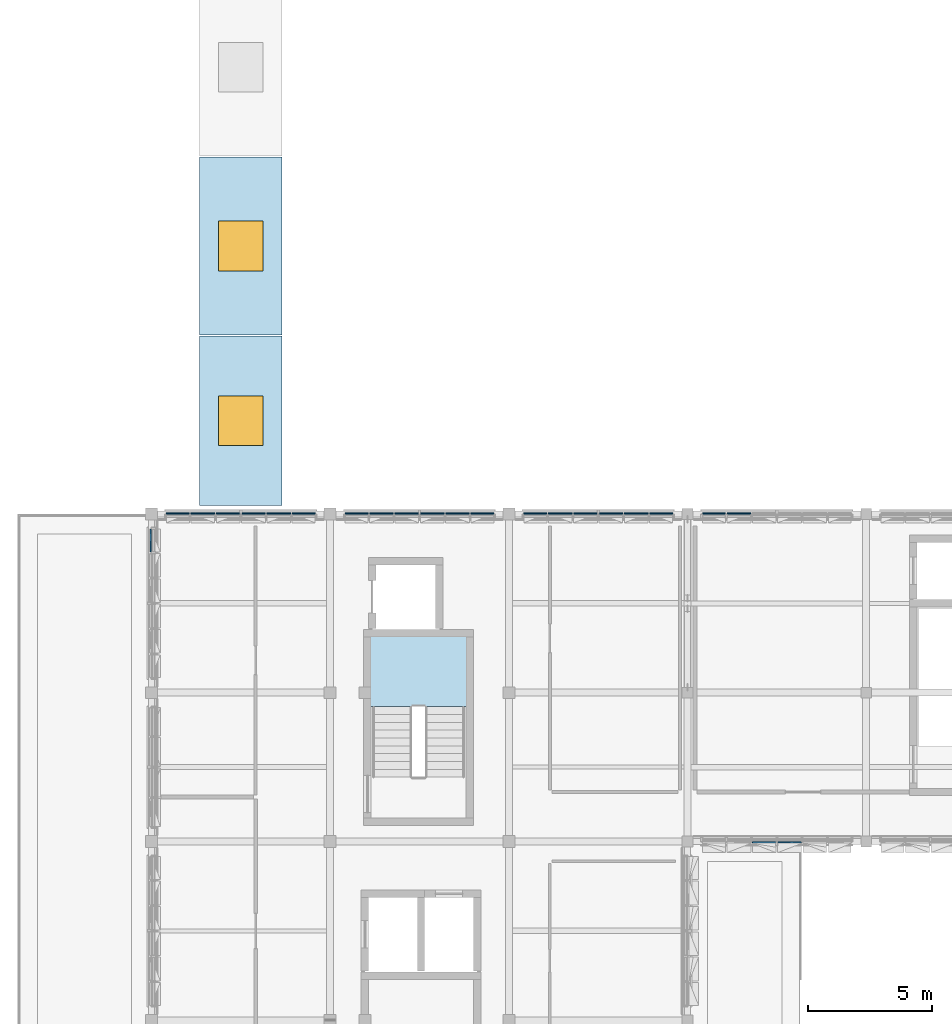
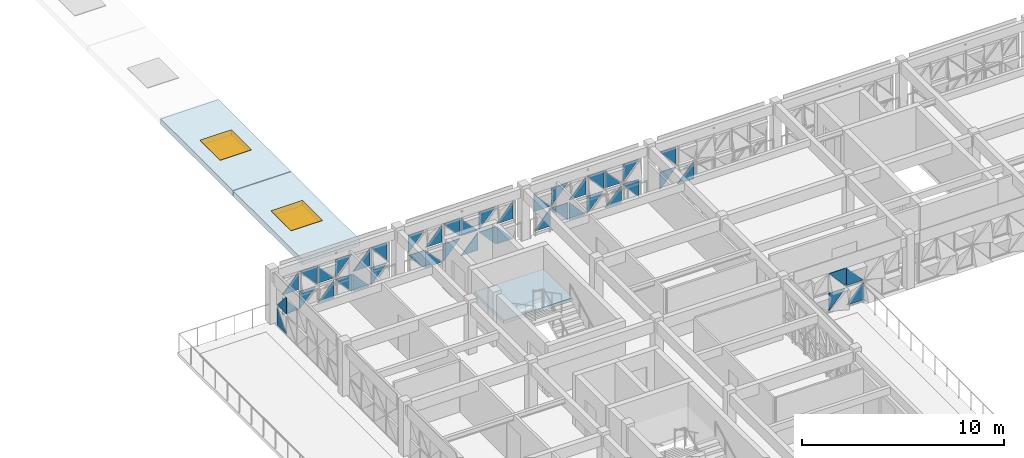
# One storey, part 15 of 35: 45 plates, 3 slabs, 2 windows, 2 openings, 7 elements without a shape of their own.
"""IFC4 building model written with IfcOpenShell, lengths in metres."""

from ifc_helpers import new_model, si_unit, direction, frame, origin, origin_2d, place, context, subcontext, project, spatial, polyline, rectangle, outline, extrude, material, layer, layer_set, type_object, element, fill, aggregate, save


model = new_model("IFC4")

# Units and contexts
model_context = context("Model", 3, precision=1e-05, world=origin(), true_north=direction((0.0, 1.0)))
body_context = subcontext(model_context, "Body", "Model", "MODEL_VIEW")
ifc_project = project(units=[si_unit("LENGTHUNIT", "METRE"), si_unit("AREAUNIT", "SQUARE_METRE"), si_unit("VOLUMEUNIT", "CUBIC_METRE"), si_unit("PLANEANGLEUNIT", "RADIAN"), si_unit("MASSUNIT", "GRAM", prefix="KILO")], contexts=[model_context])

# Site, building, storey
site_placement = place(None, origin())
site = spatial("IfcSite", under=ifc_project, at=site_placement, CompositionType="ELEMENT")
building_placement = place(site_placement, origin())
building = spatial("IfcBuilding", under=site, at=building_placement, Name="Alvorim Cloister Faculty of Sciences", CompositionType="ELEMENT")
storey_placement = place(building_placement, frame((0.0, 0.0, 22.949951171875)))
storey = spatial("IfcBuildingStorey", under=building, at=storey_placement, Name="L06", CompositionType="ELEMENT", Elevation=22.949951171875)

# Curtain wall, plates
ifc_material_1 = material(Name="Aluminium and Low-E Glass Curtain Wall", Category="aluminium")
curtain_wall_type = type_object("IfcCurtainWallType", Name="CW-TRI-6120x2550", PredefinedType="USERDEFINED", material=ifc_material_1)
curtain_wall_1_placement = place(storey_placement, origin())
curtain_wall_1 = element("IfcCurtainWall", 1, at=curtain_wall_1_placement, inside=storey, type_object=curtain_wall_type, Name="L06 Diagonal Cassette Curtain Wall CW-0244", ObjectType="UNITISED CURTAIN WALL", PredefinedType="USERDEFINED")
ifc_material_2 = material(Name="Double Low-E Laminated Glass", Category="glass")
ifc_layer_1 = layer(ifc_material_2, 0.0400390625)
ifc_layer_set_1 = layer_set([ifc_layer_1], Name="Double Low-E Laminated Glass")
plate_type = type_object("IfcPlateType", Name="PN-GLZ-40", PredefinedType="CURTAIN_PANEL", material=ifc_layer_set_1)
plate_1_placement = place(storey_placement, frame((7.175048828125, 54.87255859375, 0.14013671875), z_axis=(0.0, 0.0, 1.0), x_axis=(0.0, 1.0, 0.0)))
plate_1 = element("IfcPlate", 2, at=plate_1_placement, type_object=plate_type, Name="Diagonal Glazed Triangle TRI-BR", PredefinedType="CURTAIN_PANEL", context=body_context, shape_type="SweptSolid", body=[
    extrude(outline(polyline([(0.001953125, 0.0), (0.922607421875, 0.0), (0.922607421875, 1.06298828125), (0.001953125, 0.0)])), frame((0.0, 0.02490234375, 0.0), z_axis=(0.0, -1.0, 0.0), x_axis=(1.0, 0.0, 0.0)), (0.0, 0.0, 1.0), 0.050048828125),
])
plate_2_placement = place(storey_placement, frame((7.175048828125, 54.87255859375, 1.344970703125), z_axis=(0.0, 0.0, 1.0), x_axis=(0.0, 1.0, 0.0)))
plate_2 = element("IfcPlate", 3, at=plate_2_placement, type_object=plate_type, Name="Diagonal Glazed Triangle TRI-BL", PredefinedType="CURTAIN_PANEL", context=body_context, shape_type="SweptSolid", body=[
    extrude(outline(polyline([(0.0, 0.0), (0.920654296875, 0.0), (0.0, 1.063232421875), (0.0, 0.0)])), frame((0.0, 0.02490234375, 0.0), z_axis=(0.0, -1.0, 0.0), x_axis=(1.0, 0.0, 0.0)), (0.0, 0.0, 1.0), 0.050048828125),
])
aggregate(curtain_wall_1, [plate_1, plate_2])

curtain_wall_2_placement = place(storey_placement, origin())
curtain_wall_2 = element("IfcCurtainWall", 4, at=curtain_wall_2_placement, inside=storey, type_object=curtain_wall_type, Name="L06 Diagonal Cassette Curtain Wall CW-0245", ObjectType="UNITISED CURTAIN WALL", PredefinedType="USERDEFINED")
plate_3_placement = place(storey_placement, frame((7.804931640625, 56.425048828125, 0.14013671875), z_axis=(0.0, 0.0, 1.0), x_axis=(1.0, 0.0, 0.0)))
plate_3 = element("IfcPlate", 5, at=plate_3_placement, type_object=plate_type, Name="Diagonal Glazed Triangle TRI-BL", PredefinedType="CURTAIN_PANEL", context=body_context, shape_type="SweptSolid", body=[
    extrude(outline(polyline([(0.0, 0.0), (0.920654296875, 0.0), (0.0, 1.06298828125), (0.0, 0.0)])), frame((0.0, 0.02490234375, 0.0), z_axis=(0.0, -1.0, 0.0), x_axis=(1.0, 0.0, 0.0)), (0.0, 0.0, 1.0), 0.050048828125),
])
plate_4_placement = place(storey_placement, frame((7.804931640625, 56.425048828125, 1.344970703125), z_axis=(0.0, 0.0, 1.0), x_axis=(1.0, 0.0, 0.0)))
plate_4 = element("IfcPlate", 6, at=plate_4_placement, type_object=plate_type, Name="Diagonal Glazed Triangle TRI-BR", PredefinedType="CURTAIN_PANEL", context=body_context, shape_type="SweptSolid", body=[
    extrude(outline(polyline([(0.001953125, 0.0), (0.922607421875, 0.0), (0.922607421875, 1.063232421875), (0.001953125, 0.0)])), frame((0.0, 0.02490234375, 0.0), z_axis=(0.0, -1.0, 0.0), x_axis=(1.0, 0.0, 0.0)), (0.0, 0.0, 1.0), 0.050048828125),
])
plate_5_placement = place(storey_placement, frame((8.79248046875, 56.425048828125, 0.14013671875), z_axis=(0.0, 0.0, 1.0), x_axis=(1.0, 0.0, 0.0)))
plate_5 = element("IfcPlate", 7, at=plate_5_placement, type_object=plate_type, Name="Diagonal Glazed Triangle TRI-TL", PredefinedType="CURTAIN_PANEL", context=body_context, shape_type="SweptSolid", body=[
    extrude(outline(polyline([(0.953125, 1.06494140625), (0.0, 1.06494140625), (0.0, 0.001953125), (0.953125, 1.06494140625)])), frame((0.0, 0.02490234375, 0.0), z_axis=(0.0, -1.0, 0.0), x_axis=(1.0, 0.0, 0.0)), (0.0, 0.0, 1.0), 0.050048828125),
])
plate_6_placement = place(storey_placement, frame((8.79248046875, 56.425048828125, 1.344970703125), z_axis=(0.0, 0.0, 1.0), x_axis=(1.0, 0.0, 0.0)))
plate_6 = element("IfcPlate", 8, at=plate_6_placement, type_object=plate_type, Name="Diagonal Glazed Triangle TRI-TR", PredefinedType="CURTAIN_PANEL", context=body_context, shape_type="SweptSolid", body=[
    extrude(outline(polyline([(0.955078125, 0.001953125), (0.955078125, 1.065185546875), (0.001953125, 1.065185546875), (0.955078125, 0.001953125)])), frame((0.0, 0.02490234375, 0.0), z_axis=(0.0, -1.0, 0.0), x_axis=(1.0, 0.0, 0.0)), (0.0, 0.0, 1.0), 0.050048828125),
])
plate_7_placement = place(storey_placement, frame((9.8125, 56.425048828125, 0.14013671875), z_axis=(0.0, 0.0, 1.0), x_axis=(1.0, 0.0, 0.0)))
plate_7 = element("IfcPlate", 9, at=plate_7_placement, type_object=plate_type, Name="Diagonal Glazed Triangle TRI-BR", PredefinedType="CURTAIN_PANEL", context=body_context, shape_type="SweptSolid", body=[
    extrude(outline(polyline([(0.001953125, 0.0), (0.955078125, 0.0), (0.955078125, 1.06298828125), (0.001953125, 0.0)])), frame((0.0, 0.02490234375, 0.0), z_axis=(0.0, -1.0, 0.0), x_axis=(1.0, 0.0, 0.0)), (0.0, 0.0, 1.0), 0.050048828125),
])
plate_8_placement = place(storey_placement, frame((9.8125, 56.425048828125, 1.344970703125), z_axis=(0.0, 0.0, 1.0), x_axis=(1.0, 0.0, 0.0)))
plate_8 = element("IfcPlate", 10, at=plate_8_placement, type_object=plate_type, Name="Diagonal Glazed Triangle TRI-BL", PredefinedType="CURTAIN_PANEL", context=body_context, shape_type="SweptSolid", body=[
    extrude(outline(polyline([(0.0, 0.0), (0.953125, 0.0), (0.0, 1.063232421875), (0.0, 0.0)])), frame((0.0, 0.02490234375, 0.0), z_axis=(0.0, -1.0, 0.0), x_axis=(1.0, 0.0, 0.0)), (0.0, 0.0, 1.0), 0.050048828125),
])
plate_9_placement = place(storey_placement, frame((10.83251953125, 56.425048828125, 0.14013671875), z_axis=(0.0, 0.0, 1.0), x_axis=(1.0, 0.0, 0.0)))
plate_9 = element("IfcPlate", 11, at=plate_9_placement, type_object=plate_type, Name="Diagonal Glazed Triangle TRI-TR", PredefinedType="CURTAIN_PANEL", context=body_context, shape_type="SweptSolid", body=[
    extrude(outline(polyline([(0.955078125, 0.001953125), (0.955078125, 1.06494140625), (0.001953125, 1.06494140625), (0.955078125, 0.001953125)])), frame((0.0, 0.02490234375, 0.0), z_axis=(0.0, -1.0, 0.0), x_axis=(1.0, 0.0, 0.0)), (0.0, 0.0, 1.0), 0.050048828125),
])
plate_10_placement = place(storey_placement, frame((10.83251953125, 56.425048828125, 1.344970703125), z_axis=(0.0, 0.0, 1.0), x_axis=(1.0, 0.0, 0.0)))
plate_10 = element("IfcPlate", 12, at=plate_10_placement, type_object=plate_type, Name="Diagonal Glazed Triangle TRI-TL", PredefinedType="CURTAIN_PANEL", context=body_context, shape_type="SweptSolid", body=[
    extrude(outline(polyline([(0.953125, 1.065185546875), (0.0, 1.065185546875), (0.0, 0.001953125), (0.953125, 1.065185546875)])), frame((0.0, 0.02490234375, 0.0), z_axis=(0.0, -1.0, 0.0), x_axis=(1.0, 0.0, 0.0)), (0.0, 0.0, 1.0), 0.050048828125),
])
plate_11_placement = place(storey_placement, frame((11.8525390625, 56.425048828125, 0.14013671875), z_axis=(0.0, 0.0, 1.0), x_axis=(1.0, 0.0, 0.0)))
plate_11 = element("IfcPlate", 13, at=plate_11_placement, type_object=plate_type, Name="Diagonal Glazed Triangle TRI-BL", PredefinedType="CURTAIN_PANEL", context=body_context, shape_type="SweptSolid", body=[
    extrude(outline(polyline([(0.0, 0.0), (0.953125, 0.0), (0.0, 1.06298828125), (0.0, 0.0)])), frame((0.0, 0.02490234375, 0.0), z_axis=(0.0, -1.0, 0.0), x_axis=(1.0, 0.0, 0.0)), (0.0, 0.0, 1.0), 0.050048828125),
])
plate_12_placement = place(storey_placement, frame((11.8525390625, 56.425048828125, 1.344970703125), z_axis=(0.0, 0.0, 1.0), x_axis=(1.0, 0.0, 0.0)))
plate_12 = element("IfcPlate", 14, at=plate_12_placement, type_object=plate_type, Name="Diagonal Glazed Triangle TRI-BR", PredefinedType="CURTAIN_PANEL", context=body_context, shape_type="SweptSolid", body=[
    extrude(outline(polyline([(0.001953125, 0.0), (0.955078125, 0.0), (0.955078125, 1.063232421875), (0.001953125, 0.0)])), frame((0.0, 0.02490234375, 0.0), z_axis=(0.0, -1.0, 0.0), x_axis=(1.0, 0.0, 0.0)), (0.0, 0.0, 1.0), 0.050048828125),
])
plate_13_placement = place(storey_placement, frame((12.87255859375, 56.425048828125, 0.14013671875), z_axis=(0.0, 0.0, 1.0), x_axis=(1.0, 0.0, 0.0)))
plate_13 = element("IfcPlate", 15, at=plate_13_placement, type_object=plate_type, Name="Diagonal Glazed Triangle TRI-TL", PredefinedType="CURTAIN_PANEL", context=body_context, shape_type="SweptSolid", body=[
    extrude(outline(polyline([(0.920654296875, 1.06494140625), (0.0, 1.06494140625), (0.0, 0.001953125), (0.920654296875, 1.06494140625)])), frame((0.0, 0.02490234375, 0.0), z_axis=(0.0, -1.0, 0.0), x_axis=(1.0, 0.0, 0.0)), (0.0, 0.0, 1.0), 0.050048828125),
])
plate_14_placement = place(storey_placement, frame((12.87255859375, 56.425048828125, 1.344970703125), z_axis=(0.0, 0.0, 1.0), x_axis=(1.0, 0.0, 0.0)))
plate_14 = element("IfcPlate", 16, at=plate_14_placement, type_object=plate_type, Name="Diagonal Glazed Triangle TRI-TR", PredefinedType="CURTAIN_PANEL", context=body_context, shape_type="SweptSolid", body=[
    extrude(outline(polyline([(0.922607421875, 0.001953125), (0.922607421875, 1.065185546875), (0.001953125, 1.065185546875), (0.922607421875, 0.001953125)])), frame((0.0, 0.02490234375, 0.0), z_axis=(0.0, -1.0, 0.0), x_axis=(1.0, 0.0, 0.0)), (0.0, 0.0, 1.0), 0.050048828125),
])
aggregate(curtain_wall_2, [plate_3, plate_4, plate_5, plate_6, plate_7, plate_8, plate_9, plate_10, plate_11, plate_12, plate_13, plate_14])

curtain_wall_3_placement = place(storey_placement, origin())
curtain_wall_3 = element("IfcCurtainWall", 17, at=curtain_wall_3_placement, inside=storey, type_object=curtain_wall_type, Name="L06 Diagonal Cassette Curtain Wall CW-0246", ObjectType="UNITISED CURTAIN WALL", PredefinedType="USERDEFINED")
plate_15_placement = place(storey_placement, frame((15.0048828125, 56.425048828125, 0.14013671875), z_axis=(0.0, 0.0, 1.0), x_axis=(1.0, 0.0, 0.0)))
plate_15 = element("IfcPlate", 18, at=plate_15_placement, type_object=plate_type, Name="Diagonal Glazed Triangle TRI-TR", PredefinedType="CURTAIN_PANEL", context=body_context, shape_type="SweptSolid", body=[
    extrude(outline(polyline([(0.922607421875, 0.001953125), (0.922607421875, 1.06494140625), (0.001953125, 1.06494140625), (0.922607421875, 0.001953125)])), frame((0.0, 0.02490234375, 0.0), z_axis=(0.0, -1.0, 0.0), x_axis=(1.0, 0.0, 0.0)), (0.0, 0.0, 1.0), 0.050048828125),
])
plate_16_placement = place(storey_placement, frame((15.0048828125, 56.425048828125, 1.344970703125), z_axis=(0.0, 0.0, 1.0), x_axis=(1.0, 0.0, 0.0)))
plate_16 = element("IfcPlate", 19, at=plate_16_placement, type_object=plate_type, Name="Diagonal Glazed Triangle TRI-TL", PredefinedType="CURTAIN_PANEL", context=body_context, shape_type="SweptSolid", body=[
    extrude(outline(polyline([(0.920654296875, 1.065185546875), (0.0, 1.065185546875), (0.0, 0.001953125), (0.920654296875, 1.065185546875)])), frame((0.0, 0.02490234375, 0.0), z_axis=(0.0, -1.0, 0.0), x_axis=(1.0, 0.0, 0.0)), (0.0, 0.0, 1.0), 0.050048828125),
])
plate_17_placement = place(storey_placement, frame((15.992431640625, 56.425048828125, 0.14013671875), z_axis=(0.0, 0.0, 1.0), x_axis=(1.0, 0.0, 0.0)))
plate_17 = element("IfcPlate", 20, at=plate_17_placement, type_object=plate_type, Name="Diagonal Glazed Triangle TRI-BL", PredefinedType="CURTAIN_PANEL", context=body_context, shape_type="SweptSolid", body=[
    extrude(outline(polyline([(0.0, 0.0), (0.953125, 0.0), (0.0, 1.06298828125), (0.0, 0.0)])), frame((0.0, 0.02490234375, 0.0), z_axis=(0.0, -1.0, 0.0), x_axis=(1.0, 0.0, 0.0)), (0.0, 0.0, 1.0), 0.050048828125),
])
plate_18_placement = place(storey_placement, frame((15.992431640625, 56.425048828125, 1.344970703125), z_axis=(0.0, 0.0, 1.0), x_axis=(1.0, 0.0, 0.0)))
plate_18 = element("IfcPlate", 21, at=plate_18_placement, type_object=plate_type, Name="Diagonal Glazed Triangle TRI-BR", PredefinedType="CURTAIN_PANEL", context=body_context, shape_type="SweptSolid", body=[
    extrude(outline(polyline([(0.001953125, 0.0), (0.955078125, 0.0), (0.955078125, 1.063232421875), (0.001953125, 0.0)])), frame((0.0, 0.02490234375, 0.0), z_axis=(0.0, -1.0, 0.0), x_axis=(1.0, 0.0, 0.0)), (0.0, 0.0, 1.0), 0.050048828125),
])
plate_19_placement = place(storey_placement, frame((17.012451171875, 56.425048828125, 0.14013671875), z_axis=(0.0, 0.0, 1.0), x_axis=(1.0, 0.0, 0.0)))
plate_19 = element("IfcPlate", 22, at=plate_19_placement, type_object=plate_type, Name="Diagonal Glazed Triangle TRI-TL", PredefinedType="CURTAIN_PANEL", context=body_context, shape_type="SweptSolid", body=[
    extrude(outline(polyline([(0.953125, 1.06494140625), (0.0, 1.06494140625), (0.0, 0.001953125), (0.953125, 1.06494140625)])), frame((0.0, 0.02490234375, 0.0), z_axis=(0.0, -1.0, 0.0), x_axis=(1.0, 0.0, 0.0)), (0.0, 0.0, 1.0), 0.050048828125),
])
plate_20_placement = place(storey_placement, frame((17.012451171875, 56.425048828125, 1.344970703125), z_axis=(0.0, 0.0, 1.0), x_axis=(1.0, 0.0, 0.0)))
plate_20 = element("IfcPlate", 23, at=plate_20_placement, type_object=plate_type, Name="Diagonal Glazed Triangle TRI-TR", PredefinedType="CURTAIN_PANEL", context=body_context, shape_type="SweptSolid", body=[
    extrude(outline(polyline([(0.955078125, 0.001953125), (0.955078125, 1.065185546875), (0.001953125, 1.065185546875), (0.955078125, 0.001953125)])), frame((0.0, 0.02490234375, 0.0), z_axis=(0.0, -1.0, 0.0), x_axis=(1.0, 0.0, 0.0)), (0.0, 0.0, 1.0), 0.050048828125),
])
plate_21_placement = place(storey_placement, frame((18.032470703125, 56.425048828125, 0.14013671875), z_axis=(0.0, 0.0, 1.0), x_axis=(1.0, 0.0, 0.0)))
plate_21 = element("IfcPlate", 24, at=plate_21_placement, type_object=plate_type, Name="Diagonal Glazed Triangle TRI-BR", PredefinedType="CURTAIN_PANEL", context=body_context, shape_type="SweptSolid", body=[
    extrude(outline(polyline([(0.001953125, 0.0), (0.955078125, 0.0), (0.955078125, 1.06298828125), (0.001953125, 0.0)])), frame((0.0, 0.02490234375, 0.0), z_axis=(0.0, -1.0, 0.0), x_axis=(1.0, 0.0, 0.0)), (0.0, 0.0, 1.0), 0.050048828125),
])
plate_22_placement = place(storey_placement, frame((18.032470703125, 56.425048828125, 1.344970703125), z_axis=(0.0, 0.0, 1.0), x_axis=(1.0, 0.0, 0.0)))
plate_22 = element("IfcPlate", 25, at=plate_22_placement, type_object=plate_type, Name="Diagonal Glazed Triangle TRI-BL", PredefinedType="CURTAIN_PANEL", context=body_context, shape_type="SweptSolid", body=[
    extrude(outline(polyline([(0.0, 0.0), (0.953125, 0.0), (0.0, 1.063232421875), (0.0, 0.0)])), frame((0.0, 0.02490234375, 0.0), z_axis=(0.0, -1.0, 0.0), x_axis=(1.0, 0.0, 0.0)), (0.0, 0.0, 1.0), 0.050048828125),
])
plate_23_placement = place(storey_placement, frame((19.052490234375, 56.425048828125, 0.14013671875), z_axis=(0.0, 0.0, 1.0), x_axis=(1.0, 0.0, 0.0)))
plate_23 = element("IfcPlate", 26, at=plate_23_placement, type_object=plate_type, Name="Diagonal Glazed Triangle TRI-TR", PredefinedType="CURTAIN_PANEL", context=body_context, shape_type="SweptSolid", body=[
    extrude(outline(polyline([(0.955078125, 0.001953125), (0.955078125, 1.06494140625), (0.001953125, 1.06494140625), (0.955078125, 0.001953125)])), frame((0.0, 0.02490234375, 0.0), z_axis=(0.0, -1.0, 0.0), x_axis=(1.0, 0.0, 0.0)), (0.0, 0.0, 1.0), 0.050048828125),
])
plate_24_placement = place(storey_placement, frame((19.052490234375, 56.425048828125, 1.344970703125), z_axis=(0.0, 0.0, 1.0), x_axis=(1.0, 0.0, 0.0)))
plate_24 = element("IfcPlate", 27, at=plate_24_placement, type_object=plate_type, Name="Diagonal Glazed Triangle TRI-TL", PredefinedType="CURTAIN_PANEL", context=body_context, shape_type="SweptSolid", body=[
    extrude(outline(polyline([(0.953125, 1.065185546875), (0.0, 1.065185546875), (0.0, 0.001953125), (0.953125, 1.065185546875)])), frame((0.0, 0.02490234375, 0.0), z_axis=(0.0, -1.0, 0.0), x_axis=(1.0, 0.0, 0.0)), (0.0, 0.0, 1.0), 0.050048828125),
])
plate_25_placement = place(storey_placement, frame((20.072509765625, 56.425048828125, 0.14013671875), z_axis=(0.0, 0.0, 1.0), x_axis=(1.0, 0.0, 0.0)))
plate_25 = element("IfcPlate", 28, at=plate_25_placement, type_object=plate_type, Name="Diagonal Glazed Triangle TRI-BL", PredefinedType="CURTAIN_PANEL", context=body_context, shape_type="SweptSolid", body=[
    extrude(outline(polyline([(0.0, 0.0), (0.920654296875, 0.0), (0.0, 1.06298828125), (0.0, 0.0)])), frame((0.0, 0.02490234375, 0.0), z_axis=(0.0, -1.0, 0.0), x_axis=(1.0, 0.0, 0.0)), (0.0, 0.0, 1.0), 0.050048828125),
])
plate_26_placement = place(storey_placement, frame((20.072509765625, 56.425048828125, 1.344970703125), z_axis=(0.0, 0.0, 1.0), x_axis=(1.0, 0.0, 0.0)))
plate_26 = element("IfcPlate", 29, at=plate_26_placement, type_object=plate_type, Name="Diagonal Glazed Triangle TRI-BR", PredefinedType="CURTAIN_PANEL", context=body_context, shape_type="SweptSolid", body=[
    extrude(outline(polyline([(0.001953125, 0.0), (0.922607421875, 0.0), (0.922607421875, 1.063232421875), (0.001953125, 0.0)])), frame((0.0, 0.02490234375, 0.0), z_axis=(0.0, -1.0, 0.0), x_axis=(1.0, 0.0, 0.0)), (0.0, 0.0, 1.0), 0.050048828125),
])
aggregate(curtain_wall_3, [plate_15, plate_16, plate_17, plate_18, plate_19, plate_20, plate_21, plate_22, plate_23, plate_24, plate_25, plate_26])

curtain_wall_4_placement = place(storey_placement, origin())
curtain_wall_4 = element("IfcCurtainWall", 30, at=curtain_wall_4_placement, inside=storey, type_object=curtain_wall_type, Name="L06 Diagonal Cassette Curtain Wall CW-0247", ObjectType="UNITISED CURTAIN WALL", PredefinedType="USERDEFINED")
plate_27_placement = place(storey_placement, frame((22.205078125, 56.425048828125, 0.14013671875), z_axis=(0.0, 0.0, 1.0), x_axis=(1.0, 0.0, 0.0)))
plate_27 = element("IfcPlate", 31, at=plate_27_placement, type_object=plate_type, Name="Diagonal Glazed Triangle TRI-BR", PredefinedType="CURTAIN_PANEL", context=body_context, shape_type="SweptSolid", body=[
    extrude(outline(polyline([(0.001953125, 0.0), (0.922607421875, 0.0), (0.922607421875, 1.06298828125), (0.001953125, 0.0)])), frame((0.0, 0.02490234375, 0.0), z_axis=(0.0, -1.0, 0.0), x_axis=(1.0, 0.0, 0.0)), (0.0, 0.0, 1.0), 0.050048828125),
])
plate_28_placement = place(storey_placement, frame((22.205078125, 56.425048828125, 1.344970703125), z_axis=(0.0, 0.0, 1.0), x_axis=(1.0, 0.0, 0.0)))
plate_28 = element("IfcPlate", 32, at=plate_28_placement, type_object=plate_type, Name="Diagonal Glazed Triangle TRI-BL", PredefinedType="CURTAIN_PANEL", context=body_context, shape_type="SweptSolid", body=[
    extrude(outline(polyline([(0.0, 0.0), (0.920654296875, 0.0), (0.0, 1.063232421875), (0.0, 0.0)])), frame((0.0, 0.02490234375, 0.0), z_axis=(0.0, -1.0, 0.0), x_axis=(1.0, 0.0, 0.0)), (0.0, 0.0, 1.0), 0.050048828125),
])
plate_29_placement = place(storey_placement, frame((23.1923828125, 56.425048828125, 0.14013671875), z_axis=(0.0, 0.0, 1.0), x_axis=(1.0, 0.0, 0.0)))
plate_29 = element("IfcPlate", 33, at=plate_29_placement, type_object=plate_type, Name="Diagonal Glazed Triangle TRI-TR", PredefinedType="CURTAIN_PANEL", context=body_context, shape_type="SweptSolid", body=[
    extrude(outline(polyline([(0.955078125, 0.001953125), (0.955078125, 1.06494140625), (0.001953125, 1.06494140625), (0.955078125, 0.001953125)])), frame((0.0, 0.02490234375, 0.0), z_axis=(0.0, -1.0, 0.0), x_axis=(1.0, 0.0, 0.0)), (0.0, 0.0, 1.0), 0.050048828125),
])
plate_30_placement = place(storey_placement, frame((23.1923828125, 56.425048828125, 1.344970703125), z_axis=(0.0, 0.0, 1.0), x_axis=(1.0, 0.0, 0.0)))
plate_30 = element("IfcPlate", 34, at=plate_30_placement, type_object=plate_type, Name="Diagonal Glazed Triangle TRI-TL", PredefinedType="CURTAIN_PANEL", context=body_context, shape_type="SweptSolid", body=[
    extrude(outline(polyline([(0.953125, 1.065185546875), (0.0, 1.065185546875), (0.0, 0.001953125), (0.953125, 1.065185546875)])), frame((0.0, 0.02490234375, 0.0), z_axis=(0.0, -1.0, 0.0), x_axis=(1.0, 0.0, 0.0)), (0.0, 0.0, 1.0), 0.050048828125),
])
plate_31_placement = place(storey_placement, frame((24.21240234375, 56.425048828125, 0.14013671875), z_axis=(0.0, 0.0, 1.0), x_axis=(1.0, 0.0, 0.0)))
plate_31 = element("IfcPlate", 35, at=plate_31_placement, type_object=plate_type, Name="Diagonal Glazed Triangle TRI-BL", PredefinedType="CURTAIN_PANEL", context=body_context, shape_type="SweptSolid", body=[
    extrude(outline(polyline([(0.0, 0.0), (0.953125, 0.0), (0.0, 1.06298828125), (0.0, 0.0)])), frame((0.0, 0.02490234375, 0.0), z_axis=(0.0, -1.0, 0.0), x_axis=(1.0, 0.0, 0.0)), (0.0, 0.0, 1.0), 0.050048828125),
])
plate_32_placement = place(storey_placement, frame((24.21240234375, 56.425048828125, 1.344970703125), z_axis=(0.0, 0.0, 1.0), x_axis=(1.0, 0.0, 0.0)))
plate_32 = element("IfcPlate", 36, at=plate_32_placement, type_object=plate_type, Name="Diagonal Glazed Triangle TRI-BR", PredefinedType="CURTAIN_PANEL", context=body_context, shape_type="SweptSolid", body=[
    extrude(outline(polyline([(0.001953125, 0.0), (0.955078125, 0.0), (0.955078125, 1.063232421875), (0.001953125, 0.0)])), frame((0.0, 0.02490234375, 0.0), z_axis=(0.0, -1.0, 0.0), x_axis=(1.0, 0.0, 0.0)), (0.0, 0.0, 1.0), 0.050048828125),
])
plate_33_placement = place(storey_placement, frame((25.232421875, 56.425048828125, 0.14013671875), z_axis=(0.0, 0.0, 1.0), x_axis=(1.0, 0.0, 0.0)))
plate_33 = element("IfcPlate", 37, at=plate_33_placement, type_object=plate_type, Name="Diagonal Glazed Triangle TRI-TL", PredefinedType="CURTAIN_PANEL", context=body_context, shape_type="SweptSolid", body=[
    extrude(outline(polyline([(0.953125, 1.06494140625), (0.0, 1.06494140625), (0.0, 0.001953125), (0.953125, 1.06494140625)])), frame((0.0, 0.02490234375, 0.0), z_axis=(0.0, -1.0, 0.0), x_axis=(1.0, 0.0, 0.0)), (0.0, 0.0, 1.0), 0.050048828125),
])
plate_34_placement = place(storey_placement, frame((25.232421875, 56.425048828125, 1.344970703125), z_axis=(0.0, 0.0, 1.0), x_axis=(1.0, 0.0, 0.0)))
plate_34 = element("IfcPlate", 38, at=plate_34_placement, type_object=plate_type, Name="Diagonal Glazed Triangle TRI-TR", PredefinedType="CURTAIN_PANEL", context=body_context, shape_type="SweptSolid", body=[
    extrude(outline(polyline([(0.955078125, 0.001953125), (0.955078125, 1.065185546875), (0.001953125, 1.065185546875), (0.955078125, 0.001953125)])), frame((0.0, 0.02490234375, 0.0), z_axis=(0.0, -1.0, 0.0), x_axis=(1.0, 0.0, 0.0)), (0.0, 0.0, 1.0), 0.050048828125),
])
plate_35_placement = place(storey_placement, frame((26.25244140625, 56.425048828125, 0.14013671875), z_axis=(0.0, 0.0, 1.0), x_axis=(1.0, 0.0, 0.0)))
plate_35 = element("IfcPlate", 39, at=plate_35_placement, type_object=plate_type, Name="Diagonal Glazed Triangle TRI-BR", PredefinedType="CURTAIN_PANEL", context=body_context, shape_type="SweptSolid", body=[
    extrude(outline(polyline([(0.001953125, 0.0), (0.955078125, 0.0), (0.955078125, 1.06298828125), (0.001953125, 0.0)])), frame((0.0, 0.02490234375, 0.0), z_axis=(0.0, -1.0, 0.0), x_axis=(1.0, 0.0, 0.0)), (0.0, 0.0, 1.0), 0.050048828125),
])
plate_36_placement = place(storey_placement, frame((26.25244140625, 56.425048828125, 1.344970703125), z_axis=(0.0, 0.0, 1.0), x_axis=(1.0, 0.0, 0.0)))
plate_36 = element("IfcPlate", 40, at=plate_36_placement, type_object=plate_type, Name="Diagonal Glazed Triangle TRI-BL", PredefinedType="CURTAIN_PANEL", context=body_context, shape_type="SweptSolid", body=[
    extrude(outline(polyline([(0.0, 0.0), (0.953125, 0.0), (0.0, 1.063232421875), (0.0, 0.0)])), frame((0.0, 0.02490234375, 0.0), z_axis=(0.0, -1.0, 0.0), x_axis=(1.0, 0.0, 0.0)), (0.0, 0.0, 1.0), 0.050048828125),
])
plate_37_placement = place(storey_placement, frame((27.2724609375, 56.425048828125, 0.14013671875), z_axis=(0.0, 0.0, 1.0), x_axis=(1.0, 0.0, 0.0)))
plate_37 = element("IfcPlate", 41, at=plate_37_placement, type_object=plate_type, Name="Diagonal Glazed Triangle TRI-TR", PredefinedType="CURTAIN_PANEL", context=body_context, shape_type="SweptSolid", body=[
    extrude(outline(polyline([(0.922607421875, 0.001953125), (0.922607421875, 1.06494140625), (0.001953125, 1.06494140625), (0.922607421875, 0.001953125)])), frame((0.0, 0.02490234375, 0.0), z_axis=(0.0, -1.0, 0.0), x_axis=(1.0, 0.0, 0.0)), (0.0, 0.0, 1.0), 0.050048828125),
])
plate_38_placement = place(storey_placement, frame((27.2724609375, 56.425048828125, 1.344970703125), z_axis=(0.0, 0.0, 1.0), x_axis=(1.0, 0.0, 0.0)))
plate_38 = element("IfcPlate", 42, at=plate_38_placement, type_object=plate_type, Name="Diagonal Glazed Triangle TRI-TL", PredefinedType="CURTAIN_PANEL", context=body_context, shape_type="SweptSolid", body=[
    extrude(outline(polyline([(0.920654296875, 1.065185546875), (0.0, 1.065185546875), (0.0, 0.001953125), (0.920654296875, 1.065185546875)])), frame((0.0, 0.02490234375, 0.0), z_axis=(0.0, -1.0, 0.0), x_axis=(1.0, 0.0, 0.0)), (0.0, 0.0, 1.0), 0.050048828125),
])
aggregate(curtain_wall_4, [plate_27, plate_28, plate_29, plate_30, plate_31, plate_32, plate_33, plate_34, plate_35, plate_36, plate_37, plate_38])

curtain_wall_5_placement = place(storey_placement, origin())
curtain_wall_5 = element("IfcCurtainWall", 43, at=curtain_wall_5_placement, inside=storey, type_object=curtain_wall_type, Name="L06 Diagonal Cassette Curtain Wall CW-0248", ObjectType="UNITISED CURTAIN WALL", PredefinedType="USERDEFINED")
plate_39_placement = place(storey_placement, frame((29.405029296875, 56.425048828125, 0.14013671875), z_axis=(0.0, 0.0, 1.0), x_axis=(1.0, 0.0, 0.0)))
plate_39 = element("IfcPlate", 44, at=plate_39_placement, type_object=plate_type, Name="Diagonal Glazed Triangle TRI-TL", PredefinedType="CURTAIN_PANEL", context=body_context, shape_type="SweptSolid", body=[
    extrude(outline(polyline([(0.920654296875, 1.06494140625), (0.0, 1.06494140625), (0.0, 0.001953125), (0.920654296875, 1.06494140625)])), frame((0.0, 0.02490234375, 0.0), z_axis=(0.0, -1.0, 0.0), x_axis=(1.0, 0.0, 0.0)), (0.0, 0.0, 1.0), 0.050048828125),
])
plate_40_placement = place(storey_placement, frame((29.405029296875, 56.425048828125, 1.344970703125), z_axis=(0.0, 0.0, 1.0), x_axis=(1.0, 0.0, 0.0)))
plate_40 = element("IfcPlate", 45, at=plate_40_placement, type_object=plate_type, Name="Diagonal Glazed Triangle TRI-TR", PredefinedType="CURTAIN_PANEL", context=body_context, shape_type="SweptSolid", body=[
    extrude(outline(polyline([(0.922607421875, 0.001953125), (0.922607421875, 1.065185546875), (0.001953125, 1.065185546875), (0.922607421875, 0.001953125)])), frame((0.0, 0.02490234375, 0.0), z_axis=(0.0, -1.0, 0.0), x_axis=(1.0, 0.0, 0.0)), (0.0, 0.0, 1.0), 0.050048828125),
])
plate_41_placement = place(storey_placement, frame((30.392578125, 56.425048828125, 0.14013671875), z_axis=(0.0, 0.0, 1.0), x_axis=(1.0, 0.0, 0.0)))
plate_41 = element("IfcPlate", 46, at=plate_41_placement, type_object=plate_type, Name="Diagonal Glazed Triangle TRI-BR", PredefinedType="CURTAIN_PANEL", context=body_context, shape_type="SweptSolid", body=[
    extrude(outline(polyline([(0.001953125, 0.0), (0.955078125, 0.0), (0.955078125, 1.06298828125), (0.001953125, 0.0)])), frame((0.0, 0.02490234375, 0.0), z_axis=(0.0, -1.0, 0.0), x_axis=(1.0, 0.0, 0.0)), (0.0, 0.0, 1.0), 0.050048828125),
])
aggregate(curtain_wall_5, [plate_39, plate_40, plate_41])

curtain_wall_6_placement = place(storey_placement, origin())
curtain_wall_6 = element("IfcCurtainWall", 47, at=curtain_wall_6_placement, inside=storey, type_object=curtain_wall_type, Name="L06 Diagonal Cassette Curtain Wall CW-0254", ObjectType="UNITISED CURTAIN WALL", PredefinedType="USERDEFINED")
plate_42_placement = place(storey_placement, frame((31.41259765625, 43.175048828125, 0.14013671875), z_axis=(0.0, 0.0, 1.0), x_axis=(1.0, 0.0, 0.0)))
plate_42 = element("IfcPlate", 48, at=plate_42_placement, type_object=plate_type, Name="Diagonal Glazed Triangle TRI-TL", PredefinedType="CURTAIN_PANEL", context=body_context, shape_type="SweptSolid", body=[
    extrude(outline(polyline([(0.953125, 1.06494140625), (0.0, 1.06494140625), (0.0, 0.001953125), (0.953125, 1.06494140625)])), frame((0.0, 0.02490234375, 0.0), z_axis=(0.0, -1.0, 0.0), x_axis=(1.0, 0.0, 0.0)), (0.0, 0.0, 1.0), 0.050048828125),
])
plate_43_placement = place(storey_placement, frame((31.41259765625, 43.175048828125, 1.344970703125), z_axis=(0.0, 0.0, 1.0), x_axis=(1.0, 0.0, 0.0)))
plate_43 = element("IfcPlate", 49, at=plate_43_placement, type_object=plate_type, Name="Diagonal Glazed Triangle TRI-TR", PredefinedType="CURTAIN_PANEL", context=body_context, shape_type="SweptSolid", body=[
    extrude(outline(polyline([(0.955078125, 0.001953125), (0.955078125, 1.065185546875), (0.001953125, 1.065185546875), (0.955078125, 0.001953125)])), frame((0.0, 0.02490234375, 0.0), z_axis=(0.0, -1.0, 0.0), x_axis=(1.0, 0.0, 0.0)), (0.0, 0.0, 1.0), 0.050048828125),
])
plate_44_placement = place(storey_placement, frame((32.4326171875, 43.175048828125, 0.14013671875), z_axis=(0.0, 0.0, 1.0), x_axis=(1.0, 0.0, 0.0)))
plate_44 = element("IfcPlate", 50, at=plate_44_placement, type_object=plate_type, Name="Diagonal Glazed Triangle TRI-BR", PredefinedType="CURTAIN_PANEL", context=body_context, shape_type="SweptSolid", body=[
    extrude(outline(polyline([(0.001953125, 0.0), (0.955078125, 0.0), (0.955078125, 1.06298828125), (0.001953125, 0.0)])), frame((0.0, 0.02490234375, 0.0), z_axis=(0.0, -1.0, 0.0), x_axis=(1.0, 0.0, 0.0)), (0.0, 0.0, 1.0), 0.050048828125),
])
plate_45_placement = place(storey_placement, frame((32.4326171875, 43.175048828125, 1.344970703125), z_axis=(0.0, 0.0, 1.0), x_axis=(1.0, 0.0, 0.0)))
plate_45 = element("IfcPlate", 51, at=plate_45_placement, type_object=plate_type, Name="Diagonal Glazed Triangle TRI-BL", PredefinedType="CURTAIN_PANEL", context=body_context, shape_type="SweptSolid", body=[
    extrude(outline(polyline([(0.0, 0.0), (0.953125, 0.0), (0.0, 1.063232421875), (0.0, 0.0)])), frame((0.0, 0.02490234375, 0.0), z_axis=(0.0, -1.0, 0.0), x_axis=(1.0, 0.0, 0.0)), (0.0, 0.0, 1.0), 0.050048828125),
])
aggregate(curtain_wall_6, [plate_42, plate_43, plate_44, plate_45])

# Stair, slab
ifc_material_3 = material(Name="Concrete C40", Category="concrete")
stair_type = type_object("IfcStairType", Name="STR-ST-03-1600x3300", PredefinedType="HALF_TURN_STAIR", material=ifc_material_3)
stair_placement = place(storey_placement, origin())
stair = element("IfcStair", 52, at=stair_placement, inside=storey, type_object=stair_type, Name="L06 Enclosed Smoke-Proof Stair ST-03", PredefinedType="HALF_TURN_STAIR")
ifc_layer_2 = layer(ifc_material_3, 0.199951171875)
ifc_layer_set_2 = layer_set([ifc_layer_2], Name="Concrete C40")
slab_type_1 = type_object("IfcSlabType", Name="SL-LAND-200", PredefinedType="LANDING", material=ifc_layer_set_2)
slab_1_placement = place(storey_placement, frame((0.0, 0.0, 1.449951171875)))
slab_1 = element("IfcSlab", 53, at=slab_1_placement, type_object=slab_type_1, Name="ST-03 landing 1", PredefinedType="LANDING", context=body_context, shape_type="SweptSolid", body=[
    extrude(outline(polyline([(19.93994140625, 48.635009765625), (19.93994140625, 51.52001953125), (15.97998046875, 51.52001953125), (15.97998046875, 48.635009765625), (19.93994140625, 48.635009765625)])), origin(), (0.0, 0.0, 1.0), 0.2001953125),
])
aggregate(stair, [slab_1])

# Slab, opening, window
ifc_layer_3 = layer(ifc_material_3, 0.340087890625)
ifc_layer_set_3 = layer_set([ifc_layer_3], Name="Concrete C40")
slab_type_2 = type_object("IfcSlabType", Name="SL-ROOF-340", PredefinedType="ROOF", material=ifc_layer_set_3)
slab_2_placement = place(storey_placement, frame((0.0, 0.0, 2.48876953125)))
slab_2 = element("IfcSlab", 54, at=slab_2_placement, inside=storey, type_object=slab_type_2, Name="Learning Commons Skylight Lantern Deck 1", PredefinedType="ROOF", context=body_context, shape_type="SweptSolid", body=[
    extrude(outline(polyline([(9.139892578125, 56.75), (12.4599609375, 56.75), (12.4599609375, 63.580078125), (9.139892578125, 63.580078125), (9.139892578125, 56.75)])), origin(), (0.0, 0.0, 1.0), 0.33984375),
])
opening_1_placement = place(slab_2_placement, frame((10.800048828125, 60.1650390625, -0.011962890625)))
opening_1 = element("IfcOpeningElement", 55, at=opening_1_placement, cuts=slab_2, Name="Opening SK-03", PredefinedType="OPENING", context=body_context, shape_type="SweptSolid", body=[
    extrude(rectangle(XDim=1.800048828125, YDim=2.0, at=origin_2d()), origin(), (0.0, 0.0, 1.0), 0.36376953125),
])
window_type = type_object("IfcWindowType", Name="WN-SKY-1800x2000", PartitioningType="SINGLE_PANEL", PredefinedType="SKYLIGHT", material=ifc_material_2)
window_1_placement = place(slab_2_placement, frame((10.800048828125, 60.1650390625, 0.289794921875)))
window_1 = element("IfcWindow", 56, at=window_1_placement, inside=storey, type_object=window_type, Name="Lantern Crest Skylight SK-03", OverallHeight=2.0, OverallWidth=1.800048828125, PartitioningType="SINGLE_PANEL", PredefinedType="SKYLIGHT", context=body_context, shape_type="SweptSolid", body=[
    extrude(rectangle(XDim=1.800048828125, YDim=2.0, at=origin_2d()), origin(), (0.0, 0.0, 1.0), 0.050048828125),
])
fill(opening_1, window_1)

slab_3_placement = place(storey_placement, frame((0.0, 0.0, 2.48876953125)))
slab_3 = element("IfcSlab", 57, at=slab_3_placement, inside=storey, type_object=slab_type_2, Name="Learning Commons Skylight Lantern Deck 2", PredefinedType="ROOF", context=body_context, shape_type="SweptSolid", body=[
    extrude(outline(polyline([(9.139892578125, 63.6201171875), (12.4599609375, 63.6201171875), (12.4599609375, 70.780029296875), (9.139892578125, 70.780029296875), (9.139892578125, 63.6201171875)])), origin(), (0.0, 0.0, 1.0), 0.33984375),
])
opening_2_placement = place(slab_3_placement, frame((10.800048828125, 67.199951171875, -0.011962890625)))
opening_2 = element("IfcOpeningElement", 58, at=opening_2_placement, cuts=slab_3, Name="Opening SK-04", PredefinedType="OPENING", context=body_context, shape_type="SweptSolid", body=[
    extrude(rectangle(XDim=1.800048828125, YDim=2.0, at=origin_2d()), origin(), (0.0, 0.0, 1.0), 0.36376953125),
])
window_2_placement = place(slab_3_placement, frame((10.800048828125, 67.199951171875, 0.289794921875)))
window_2 = element("IfcWindow", 59, at=window_2_placement, inside=storey, type_object=window_type, Name="Lantern Crest Skylight SK-04", OverallHeight=2.0, OverallWidth=1.800048828125, PartitioningType="SINGLE_PANEL", PredefinedType="SKYLIGHT", context=body_context, shape_type="SweptSolid", body=[
    extrude(rectangle(XDim=1.800048828125, YDim=2.0, at=origin_2d()), origin(), (0.0, 0.0, 1.0), 0.050048828125),
])
fill(opening_2, window_2)

save(model, "model.ifc")
